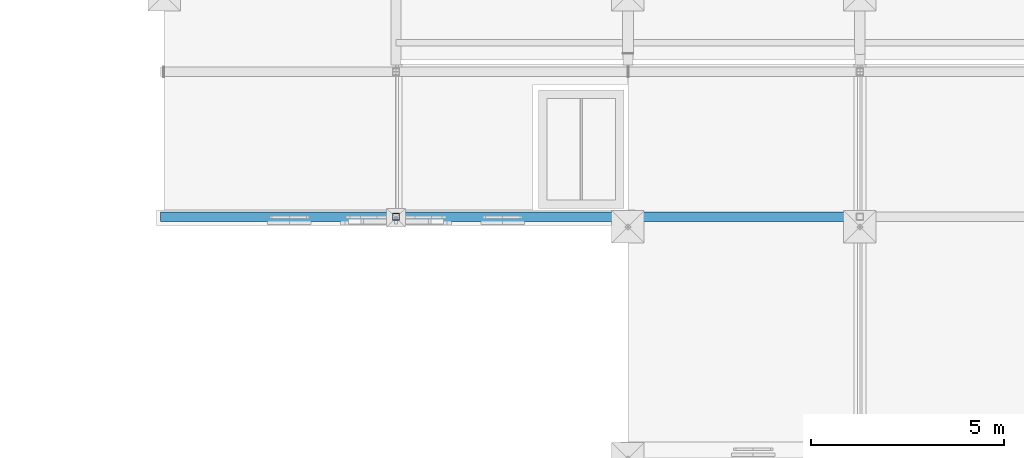
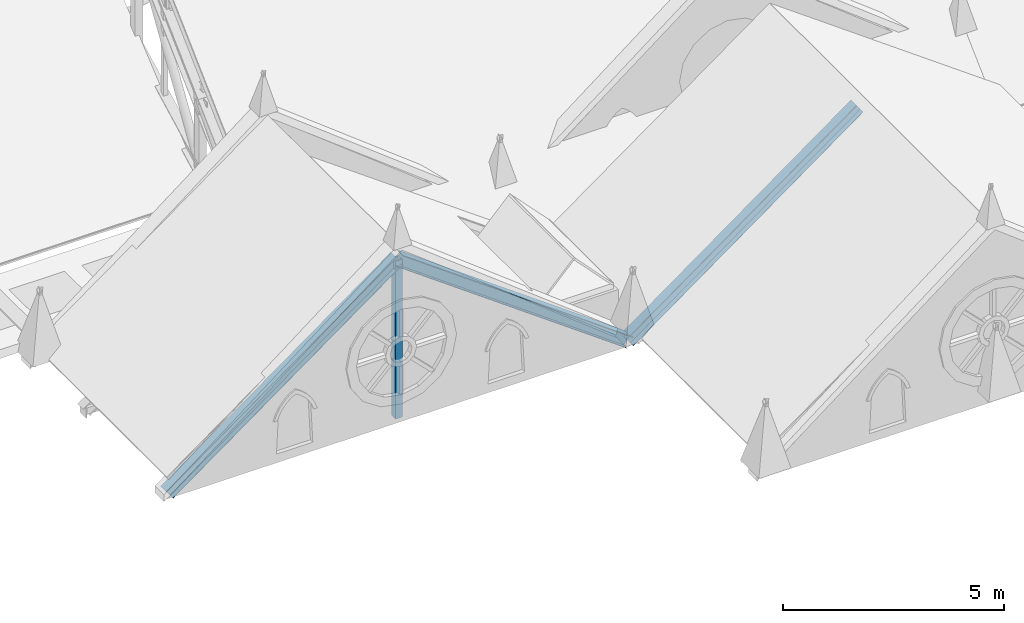
# One storey, part 3 of 33: 4 members.
"""IFC4 building model written with IfcOpenShell, lengths in metres."""

from ifc_helpers import new_model, si_unit, direction, frame, origin, origin_2d, place, context, subcontext, project, spatial, hollow_rectangle, i_section, extrude, material, material_profile, profile_set, type_object, element, save


model = new_model("IFC4")

# Units and contexts
model_context = context("Model", 3, precision=1e-05, world=origin(), true_north=direction((0.0, 1.0)))
body_context = subcontext(model_context, "Body", "Model", "MODEL_VIEW")
ifc_project = project(units=[si_unit("LENGTHUNIT", "METRE"), si_unit("AREAUNIT", "SQUARE_METRE"), si_unit("VOLUMEUNIT", "CUBIC_METRE"), si_unit("PLANEANGLEUNIT", "RADIAN"), si_unit("MASSUNIT", "GRAM", prefix="KILO")], contexts=[model_context])

# Site, building, storey
site_placement = place(None, origin())
site = spatial("IfcSite", under=ifc_project, at=site_placement, CompositionType="ELEMENT")
building_placement = place(site_placement, origin())
building = spatial("IfcBuilding", under=site, at=building_placement, Name="Cumevento Cable Car Station", CompositionType="ELEMENT")
storey_placement = place(building_placement, frame((0.0, 0.0, 22.5)))
storey = spatial("IfcBuildingStorey", under=building, at=storey_placement, Name="RF", CompositionType="ELEMENT", Elevation=22.5)

# Members
ifc_material_1 = material(Name="Steel ASTM A572 Grade 50", Category="steel")
ifc_material_profile_1 = material_profile(ifc_material_1, hollow_rectangle(XDim=0.179931640625, YDim=0.179931640625, WallThickness=0.010009765625, at=origin_2d()), Name="HSS180x180x10.0")
ifc_profile_set_1 = profile_set([ifc_material_profile_1], Name="Steel ASTM A572 Grade 50")
member_type_1 = type_object("IfcMemberType", Name="Framing Brace BR-01 HSS180x180x10.0", PredefinedType="BRACE", material=ifc_profile_set_1)
member_placement = place(storey_placement, frame((64.0, 39.0, 0.0), z_axis=(0.0, 0.0, 1.0), x_axis=(1.0, 0.0, 0.0)))
element("IfcMember", 1, at=member_placement, inside=storey, type_object=member_type_1, Name="Wing B_V2c King Post #709", PredefinedType="BRACE", context=body_context, shape_type="SweptSolid", body=[
    extrude(hollow_rectangle(XDim=0.179931640625, YDim=0.179931640625, WallThickness=0.010009765625, at=origin_2d()), origin(), (0.0, 0.0, 1.0), 4.35009765625),
])
ifc_material_2 = material(Name="Steel ASTM A572 Grade 50", Category="steel")
ifc_material_profile_2 = material_profile(ifc_material_2, i_section(OverallWidth=0.25390625, OverallDepth=0.305908203125, WebThickness=0.0087890625, FlangeThickness=0.0146484375, at=origin_2d()), Name="W310x79.0")
ifc_profile_set_2 = profile_set([ifc_material_profile_2], Name="Steel ASTM A572 Grade 50")
member_type_2 = type_object("IfcMemberType", Name="Framing Chord TC-03 W310x79.0", PredefinedType="CHORD", material=ifc_profile_set_2)
for number, where, z_axis, x_axis, name in (
    (2, (58.0, 39.0, 0.0), (0.809604181367, 0.0, 0.586976208643), (0.0, 1.0, 0.0), "Wing B_V2c Rafter #710"),
    (3, (70.0, 39.0, 0.0), (-0.809604181367, 0.0, 0.586976208643), (0.0, -1.0, 0.0), "Wing B_V2c Rafter #711"),
    (4, (70.0, 39.0, 0.0), (0.809604181367, 0.0, 0.586976208643), (0.0, 1.0, 0.0), "Wing B_V2d Rafter #717"),
):
    element("IfcMember", number, at=place(storey_placement, frame(where, z_axis=z_axis, x_axis=x_axis)), inside=storey, type_object=member_type_2, Name=name, PredefinedType="CHORD", context=body_context, shape_type="SweptSolid", body=[
        extrude(i_section(OverallWidth=0.25390625, OverallDepth=0.305908203125, WebThickness=0.0087890625, FlangeThickness=0.0146484375, at=origin_2d()), origin(), (0.0, 0.0, 1.0), 7.4111328125),
    ])

save(model, "model.ifc")
